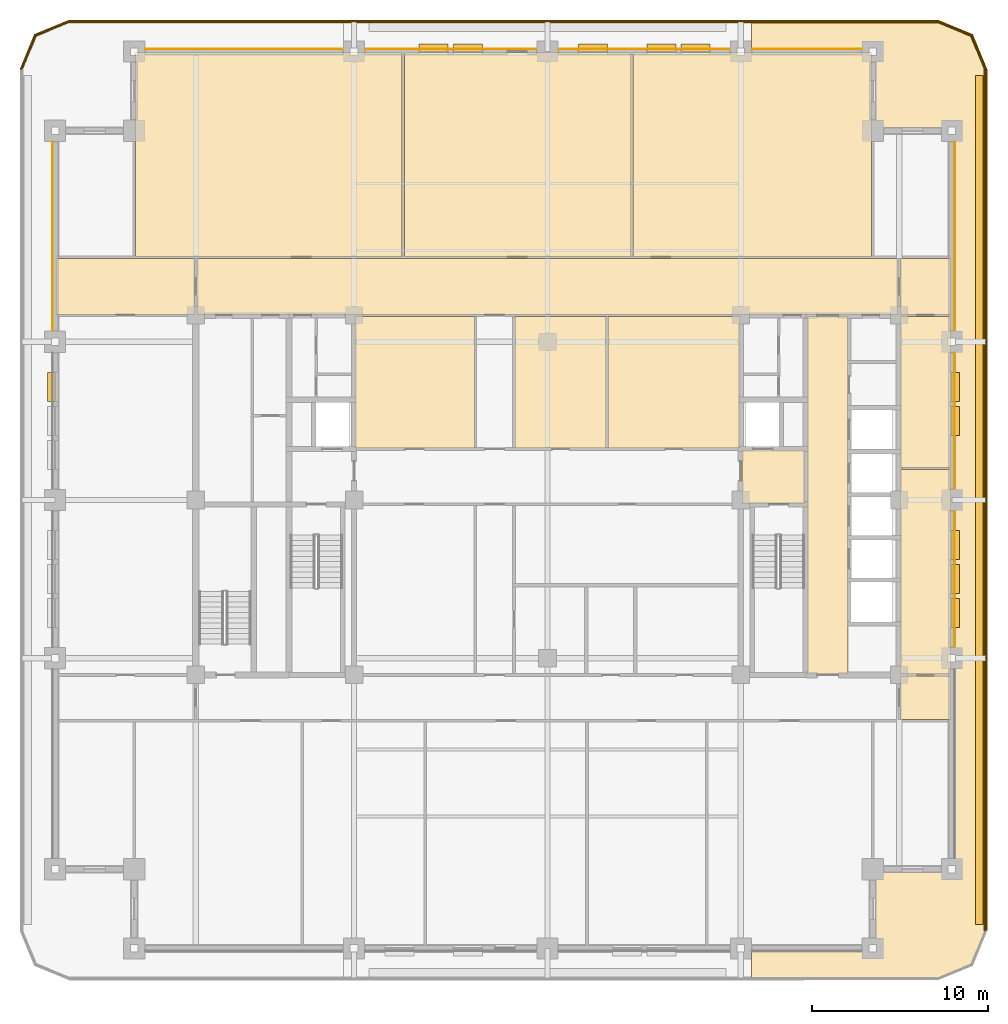
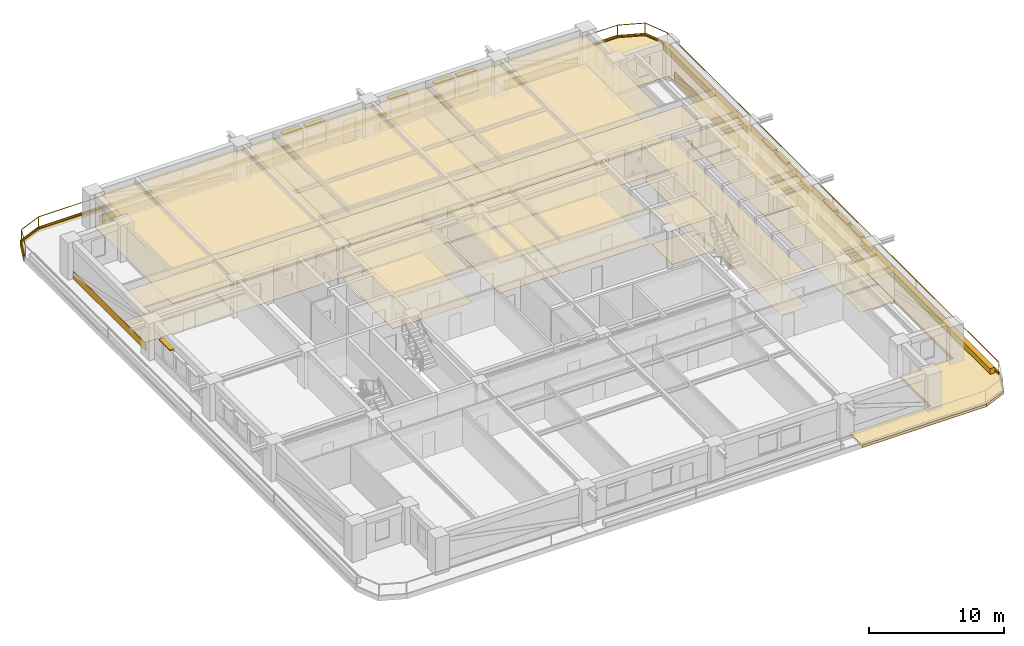
# One storey, part 15 of 15: 44 coverings, 11 shading devices, 2 railings.
"""IFC4 building model written with IfcOpenShell, lengths in metres."""

import ifcopenshell
import ifcopenshell.guid

model = None  # the IFC model being written
_history = None  # IfcOwnerHistory: only IFC2X3 demands one
_inside = {}  # id of a spatial element -> (the spatial element, [elements in it])
_under = {}  # id of a project, library or spatial element -> (it, [spatial elements below it])
_declared = {}  # id of a project -> (the project, [libraries it declares])
_typed = {}  # id of a type object -> (the type object, [elements of that type])
_made_of = {}  # id of a material, layer set ... -> (it, [elements and type objects made of it])


def new_model(schema):
    """Start an empty IFC model of exactly this schema.

    Asked for "IFC4X3", IfcOpenShell would pick the latest addendum, in which some entities
    have other attributes; the version numbers below select the first issue.
    IFC2X3 requires an IfcOwnerHistory on every rooted entity: one is made here for all.
    """
    global model, _history
    if schema == "IFC4X3":
        model = ifcopenshell.file(schema_version=(4, 3, 0, 0))
    else:
        model = ifcopenshell.file(schema=schema)
    _inside.clear()
    _under.clear()
    _declared.clear()
    _typed.clear()
    _made_of.clear()
    _history = None
    if model.schema == "IFC2X3":
        org = make("IfcOrganization", Name="unknown")
        user = make(
            "IfcPersonAndOrganization",
            ThePerson=make("IfcPerson", FamilyName="unknown"),
            TheOrganization=org,
        )
        app = make(
            "IfcApplication",
            ApplicationDeveloper=org,
            Version="unknown",
            ApplicationFullName="unknown",
            ApplicationIdentifier="unknown",
        )
        _history = make(
            "IfcOwnerHistory",
            OwningUser=user,
            OwningApplication=app,
            ChangeAction="ADDED",
            CreationDate=0,
        )
    return model


def make(cls, **values):
    """One entity of the class cls with the attributes given. An attribute that is None is left unset."""
    return model.create_entity(
        cls, **{name: value for name, value in values.items() if value is not None}
    )


def rooted(cls, **values):
    """An entity with a GlobalId (a new one), such as an element, a storey or a relation."""
    return make(cls, GlobalId=ifcopenshell.guid.new(), OwnerHistory=_history, **values)


def si_unit(unit_type, name, prefix=None):
    """IfcSIUnit, for example si_unit("LENGTHUNIT", "METRE", prefix="MILLI")."""
    return make("IfcSIUnit", UnitType=unit_type, Prefix=prefix, Name=name)


def assignment(units):
    """IfcUnitAssignment: the units of a project."""
    return None if units is None else make("IfcUnitAssignment", Units=units)


def point(xyz):
    """IfcCartesianPoint."""
    return None if xyz is None else make("IfcCartesianPoint", Coordinates=xyz)


def direction(xyz):
    """IfcDirection."""
    return None if xyz is None else make("IfcDirection", DirectionRatios=xyz)


def frame(location, z_axis=None, x_axis=None):
    """IfcAxis2Placement3D, a coordinate frame: its origin and axes. An axis left out is left unset."""
    return make(
        "IfcAxis2Placement3D",
        Location=point(location),
        Axis=direction(z_axis),
        RefDirection=direction(x_axis),
    )


def frame_2d(location, x_axis=None):
    """IfcAxis2Placement2D, a coordinate frame in the plane: its origin and x axis."""
    return make(
        "IfcAxis2Placement2D", Location=point(location), RefDirection=direction(x_axis)
    )


def origin():
    """The frame at (0, 0, 0) with its axes left unset."""
    return frame((0.0, 0.0, 0.0))


def origin_2d():
    """The frame at (0, 0) in the plane with its x axis left unset."""
    return frame_2d((0.0, 0.0))


def place(relative_to, where):
    """IfcLocalPlacement: puts the frame where relative to a parent placement (None: the world)."""
    return make(
        "IfcLocalPlacement", PlacementRelTo=relative_to, RelativePlacement=where
    )


def context(
    kind, dimensions, precision=None, world=None, true_north=None, identifier=None
):
    """IfcGeometricRepresentationContext, for example the 3D "Model" context."""
    return make(
        "IfcGeometricRepresentationContext",
        ContextIdentifier=identifier,
        ContextType=kind,
        CoordinateSpaceDimension=dimensions,
        Precision=precision,
        WorldCoordinateSystem=world,
        TrueNorth=true_north,
    )


def subcontext(parent, identifier, kind, view, scale=None):
    """IfcGeometricRepresentationSubContext, for example "Body" below "Model"."""
    return make(
        "IfcGeometricRepresentationSubContext",
        ContextIdentifier=identifier,
        ContextType=kind,
        ParentContext=parent,
        TargetScale=scale,
        TargetView=view,
    )


def project(units=None, contexts=None):
    """IfcProject with its units and contexts."""
    return rooted(
        "IfcProject",
        Name="project",
        RepresentationContexts=contexts,
        UnitsInContext=assignment(units),
    )


def spatial(cls, under=None, at=None, **own):
    """A site, building, storey or space (cls), placed at a placement, below another one or the project."""
    s = rooted(cls, ObjectPlacement=at, **own)
    if under is not None:
        _under.setdefault(under.id(), (under, []))[1].append(s)
    return s


def polyline(points):
    """IfcPolyline through the points."""
    return make("IfcPolyline", Points=[point(p) for p in points])


def profile(cls, at=None, kind="AREA", **sizes):
    """A parametric profile (cls). Its sizes go by their IFC names, for example OverallWidth=200.0."""
    return make(cls, ProfileType=kind, Position=at, **sizes)


def rectangle(**sizes):
    """IfcRectangleProfileDef."""
    return profile("IfcRectangleProfileDef", **sizes)


def outline(outer, holes=None, kind="AREA"):
    """IfcArbitraryClosedProfileDef: a profile drawn as a closed curve; with holes, ...WithVoids."""
    if holes is None:
        return make("IfcArbitraryClosedProfileDef", ProfileType=kind, OuterCurve=outer)
    return make(
        "IfcArbitraryProfileDefWithVoids",
        ProfileType=kind,
        OuterCurve=outer,
        InnerCurves=holes,
    )


def extrude(swept, where, along, depth):
    """IfcExtrudedAreaSolid: the profile swept, set in the frame where, extruded along a direction by depth."""
    return make(
        "IfcExtrudedAreaSolid",
        SweptArea=swept,
        Position=where,
        ExtrudedDirection=direction(along),
        Depth=depth,
    )


def shape(context_of_items, identifier, shape_type, items):
    """IfcShapeRepresentation: the items that make up one representation, for example the "Body"."""
    return make(
        "IfcShapeRepresentation",
        ContextOfItems=context_of_items,
        RepresentationIdentifier=identifier,
        RepresentationType=shape_type,
        Items=items,
    )


def material(Name=None, Category=None):
    """IfcMaterial."""
    return make("IfcMaterial", Name=Name, Category=Category)


def layer(
    of_material, thickness, ventilated=None, Name=None, Category=None, Priority=None
):
    """IfcMaterialLayer: one layer of a wall or slab, of a material (None: an air gap)."""
    return make(
        "IfcMaterialLayer",
        Material=of_material,
        LayerThickness=thickness,
        IsVentilated=ventilated,
        Name=Name,
        Category=Category,
        Priority=Priority,
    )


def layer_set(layers, Name=None):
    """IfcMaterialLayerSet."""
    return make("IfcMaterialLayerSet", MaterialLayers=layers, LayerSetName=Name)


def made_of(thing, what):
    """Note that an element or type object is made of a material, layer set ...; save() writes the relation."""
    if what is not None:
        _made_of.setdefault(what.id(), (what, []))[1].append(thing)
    return thing


def type_object(cls, material=None, **own):
    """A type object (cls), such as IfcWallType, which elements share."""
    return made_of(rooted(cls, **own), material)


def element(
    cls,
    number,
    at=None,
    inside=None,
    cuts=None,
    type_object=None,
    material=None,
    context=None,
    identifier="Body",
    shape_type=None,
    held_by="IfcProductDefinitionShape",
    body=None,
    shapes=None,
    **own,
):
    """One element of the class cls, such as IfcWall. Its Tag is "e" and its number.

    at: its placement. inside: the storey or other place that contains it. cuts: it is an
    opening in that element (IfcRelVoidsElement). A single representation is given by context,
    identifier, shape_type and body (its items); several are given by shapes. held_by: the class
    of the entity that holds the representations. save() writes the other relations.
    """
    e = rooted(cls, Tag="e%d" % number, ObjectPlacement=at, **own)
    if body is not None:
        shapes = [shape(context, identifier, shape_type, body)]
    if shapes is not None:
        e.Representation = make(held_by, Representations=shapes)
    if inside is not None:
        _inside.setdefault(inside.id(), (inside, []))[1].append(e)
    if cuts is not None:
        rooted(
            "IfcRelVoidsElement", RelatingBuildingElement=cuts, RelatedOpeningElement=e
        )
    if type_object is not None:
        _typed.setdefault(type_object.id(), (type_object, []))[1].append(e)
    return made_of(e, material)


def aggregate(whole, parts):
    """IfcRelAggregates: a whole, such as a stair, and the parts it consists of."""
    return rooted("IfcRelAggregates", RelatingObject=whole, RelatedObjects=parts)


def save(model, path):
    """Write the relations noted so far, then the file.

    IfcRelAggregates (storeys below a building ...), IfcRelContainedInSpatialStructure (elements
    in a storey), IfcRelDefinesByType, IfcRelAssociatesMaterial and IfcRelDeclares: one each for
    every whole, place, type object, material and project.
    """
    for whole, parts in _under.values():
        aggregate(whole, parts)
    for where, things in _inside.values():
        rooted(
            "IfcRelContainedInSpatialStructure",
            RelatedElements=things,
            RelatingStructure=where,
        )
    for kind, things in _typed.values():
        rooted("IfcRelDefinesByType", RelatedObjects=things, RelatingType=kind)
    for what, things in _made_of.values():
        rooted("IfcRelAssociatesMaterial", RelatedObjects=things, RelatingMaterial=what)
    for by, libraries in _declared.values():
        rooted("IfcRelDeclares", RelatingContext=by, RelatedDefinitions=libraries)
    model.write(path)


model = new_model("IFC4")

# Units and contexts
model_context = context("Model", 3, precision=1e-05, world=origin(), true_north=direction((0.0, 1.0)))
body_context = subcontext(model_context, "Body", "Model", "MODEL_VIEW")
ifc_project = project(units=[si_unit("LENGTHUNIT", "METRE"), si_unit("AREAUNIT", "SQUARE_METRE"), si_unit("VOLUMEUNIT", "CUBIC_METRE"), si_unit("PLANEANGLEUNIT", "RADIAN"), si_unit("MASSUNIT", "GRAM", prefix="KILO")], contexts=[model_context])

# Site, building, storey
site_placement = place(None, origin())
site = spatial("IfcSite", under=ifc_project, at=site_placement, CompositionType="ELEMENT")
building_placement = place(site_placement, origin())
building = spatial("IfcBuilding", under=site, at=building_placement, Name="Zulmaris Gate Convention Tower", CompositionType="ELEMENT")
storey_placement = place(building_placement, frame((0.0, 0.0, 132.059814453125)))
storey = spatial("IfcBuildingStorey", under=building, at=storey_placement, Name="L33", CompositionType="ELEMENT", Elevation=132.059814453125)

# Coverings
ifc_material_1 = material(Name="Precast concrete C40/50", Category="concrete")
ifc_layer_1 = layer(ifc_material_1, 0.0400390625, Name="Precast concrete C40/50")
ifc_layer_set_1 = layer_set([ifc_layer_1], Name="Precast concrete C40/50")
covering_type_1 = type_object("IfcCoveringType", Name="CLAD-SPANDREL-PRECAST", PredefinedType="CLADDING", material=ifc_layer_set_1)
covering_1_placement = place(storey_placement, frame((-11.6298828125, 25.64990234375, 0.0), z_axis=(0.0, 0.0, 1.0), x_axis=(-1.0, 0.0, 0.0)))
element("IfcCovering", 1, at=covering_1_placement, inside=storey, type_object=covering_type_1, Name="CLD-L33-N-0_0", PredefinedType="CLADDING", context=body_context, shape_type="SweptSolid", body=[
    extrude(rectangle(XDim=11.240234375, YDim=0.0400390625, at=frame_2d((5.6201171875, 0.0))), origin(), (0.0, 0.0, 1.0), 0.679931640625),
])
for number, where, z_axis, x_axis, name in (
    (2, (-0.6298828125, 25.64990234375, 0.0), (0.0, 0.0, 1.0), (-1.0, 0.0, 0.0), "CLD-L33-N-1_0"),
    (3, (10.3701171875, 25.64990234375, 0.0), (0.0, 0.0, 1.0), (-1.0, 0.0, 0.0), "CLD-L33-N-2_0"),
):
    element("IfcCovering", number, at=place(storey_placement, frame(where, z_axis=z_axis, x_axis=x_axis)), inside=storey, type_object=covering_type_1, Name=name, PredefinedType="CLADDING", context=body_context, shape_type="SweptSolid", body=[
        extrude(rectangle(XDim=9.740234375, YDim=0.0400390625, at=frame_2d((4.8701171875, 0.0))), origin(), (0.0, 0.0, 1.0), 0.679931640625),
    ])
covering_2_placement = place(storey_placement, frame((17.8701171875, 25.64990234375, 0.0), z_axis=(0.0, 0.0, 1.0), x_axis=(-1.0, 0.0, 0.0)))
element("IfcCovering", 4, at=covering_2_placement, inside=storey, type_object=covering_type_1, Name="CLD-L33-N-3_0", PredefinedType="CLADDING", context=body_context, shape_type="SweptSolid", body=[
    extrude(rectangle(XDim=6.240234375, YDim=0.0400390625, at=frame_2d((3.1201171875, 0.0))), origin(), (0.0, 0.0, 1.0), 0.679931640625),
])
for number, where, z_axis, x_axis, name in (
    (5, (23.14990234375, -8.3701171875, 0.0), (0.0, 0.0, 1.0), (0.0, 1.0, 0.0), "CLD-L33-E-1_0"),
    (6, (23.14990234375, 0.6298828125, 0.0), (0.0, 0.0, 1.0), (0.0, 1.0, 0.0), "CLD-L33-E-2_0"),
):
    element("IfcCovering", number, at=place(storey_placement, frame(where, z_axis=z_axis, x_axis=x_axis)), inside=storey, type_object=covering_type_1, Name=name, PredefinedType="CLADDING", context=body_context, shape_type="SweptSolid", body=[
        extrude(rectangle(XDim=7.740234375, YDim=0.0400390625, at=frame_2d((3.8701171875, 0.0))), origin(), (0.0, 0.0, 1.0), 0.679931640625),
    ])
for number, where, z_axis, x_axis, name in (
    (7, (23.14990234375, 9.6298828125, 0.0), (0.0, 0.0, 1.0), (0.0, 1.0, 0.0), "CLD-L33-E-3_0"),
    (8, (-28.14990234375, 20.3701171875, 0.0), (0.0, 0.0, 1.0), (0.0, -1.0, 0.0), "CLD-L33-W-3_0"),
):
    element("IfcCovering", number, at=place(storey_placement, frame(where, z_axis=z_axis, x_axis=x_axis)), inside=storey, type_object=covering_type_1, Name=name, PredefinedType="CLADDING", context=body_context, shape_type="SweptSolid", body=[
        extrude(rectangle(XDim=10.740234375, YDim=0.0400390625, at=frame_2d((5.3701171875, 0.0))), origin(), (0.0, 0.0, 1.0), 0.679931640625),
    ])
ifc_material_2 = material(Name="White Glazed Architectural Precast Concrete C40/50", Category="concrete")
ifc_layer_2 = layer(ifc_material_2, 0.239990234375, Name="White Glazed Architectural Precast Concrete C40/50")
ifc_layer_set_2 = layer_set([ifc_layer_2], Name="White Glazed Architectural Precast Concrete C40/50")
covering_type_2 = type_object("IfcCoveringType", Name="CLAD-TRAY-DECK", PredefinedType="CLADDING", material=ifc_layer_set_2)
covering_3_placement = place(storey_placement, frame((0.0, 0.0, -0.25)))
element("IfcCovering", 9, at=covering_3_placement, inside=storey, type_object=covering_type_2, Name="L33 East Rounded-Fascia Planter Tray Deck", PredefinedType="CLADDING", context=body_context, shape_type="SweptSolid", body=[
    extrude(outline(polyline([(22.199951171875, 27.300048828125), (24.179931640625, 26.47998046875), (25.0, 24.5), (25.0, -24.5), (24.179931640625, -26.47998046875), (22.199951171875, -27.300048828125), (11.60205078125, -27.300048828125), (11.60205078125, -25.5), (18.5, -25.5), (18.5, -21.0), (23.0, -21.0), (23.0, 21.0), (18.5, 21.0), (18.5, 25.5), (11.60205078125, 25.5), (11.60205078125, 27.300048828125), (22.199951171875, 27.300048828125)])), origin(), (0.0, 0.0, 1.0), 0.239990234375),
])
ifc_layer_3 = layer(ifc_material_2, 0.080078125, Name="White Glazed Architectural Precast Concrete C40/50")
ifc_layer_set_3 = layer_set([ifc_layer_3], Name="White Glazed Architectural Precast Concrete C40/50")
covering_type_3 = type_object("IfcCoveringType", Name="CLAD-TRAY-FASCIA", PredefinedType="CLADDING", material=ifc_layer_set_3)
covering_4_placement = place(storey_placement, frame((24.9599609375, -24.5, -0.2900390625), z_axis=(0.0, 0.0, 1.0), x_axis=(0.0, 1.0, 0.0)))
element("IfcCovering", 10, at=covering_4_placement, inside=storey, type_object=covering_type_3, Name="FSC-L33-TR-05", PredefinedType="CLADDING", context=body_context, shape_type="SweptSolid", body=[
    extrude(rectangle(XDim=49.0, YDim=0.080078125, at=frame_2d((24.5, 0.0))), origin(), (0.0, 0.0, 1.0), 0.43994140625),
])
covering_5_placement = place(storey_placement, frame((24.962890625, 24.484619140625, -0.2900390625), z_axis=(0.0, 0.0, 1.0), x_axis=(-0.382656984709, 0.923890487046, 0.0)))
element("IfcCovering", 11, at=covering_5_placement, inside=storey, type_object=covering_type_3, Name="FSC-L33-TR-06", PredefinedType="CLADDING", context=body_context, shape_type="SweptSolid", body=[
    extrude(rectangle(XDim=2.14306640625, YDim=0.080078125, at=frame_2d((1.071533203125, 0.0))), origin(), (0.0, 0.0, 1.0), 0.43994140625),
])
covering_6_placement = place(storey_placement, frame((24.16455078125, 26.44287109375, -0.2900390625), z_axis=(0.0, 0.0, 1.0), x_axis=(-0.923873803533, 0.382697263049, 0.0)))
element("IfcCovering", 12, at=covering_6_placement, inside=storey, type_object=covering_type_3, Name="FSC-L33-TR-07", PredefinedType="CLADDING", context=body_context, shape_type="SweptSolid", body=[
    extrude(rectangle(XDim=2.142822265625, YDim=0.080078125, at=frame_2d((1.0712890625, 0.0))), origin(), (0.0, 0.0, 1.0), 0.43994140625),
])
covering_7_placement = place(storey_placement, frame((22.199951171875, 27.260009765625, -0.2900390625), z_axis=(0.0, 0.0, 1.0), x_axis=(-1.0, 0.0, 0.0)))
element("IfcCovering", 13, at=covering_7_placement, inside=storey, type_object=covering_type_3, Name="FSC-L33-TR-08", PredefinedType="CLADDING", context=body_context, shape_type="SweptSolid", body=[
    extrude(rectangle(XDim=49.39990234375, YDim=0.080078125, at=frame_2d((24.699951171875, 0.0))), origin(), (0.0, 0.0, 1.0), 0.43994140625),
])
covering_8_placement = place(storey_placement, frame((-27.184814453125, 27.262939453125, -0.2900390625), z_axis=(0.0, 0.0, 1.0), x_axis=(-0.923873803533, -0.382697263049, 0.0)))
element("IfcCovering", 14, at=covering_8_placement, inside=storey, type_object=covering_type_3, Name="FSC-L33-TR-09", PredefinedType="CLADDING", context=body_context, shape_type="SweptSolid", body=[
    extrude(rectangle(XDim=2.142822265625, YDim=0.080078125, at=frame_2d((1.0712890625, 0.0))), origin(), (0.0, 0.0, 1.0), 0.43994140625),
])
covering_9_placement = place(storey_placement, frame((-29.142822265625, 26.464599609375, -0.2900390625), z_axis=(0.0, 0.0, 1.0), x_axis=(-0.382656984709, -0.923890487046, 0.0)))
element("IfcCovering", 15, at=covering_9_placement, inside=storey, type_object=covering_type_3, Name="FSC-L33-TR-10", PredefinedType="CLADDING", context=body_context, shape_type="SweptSolid", body=[
    extrude(rectangle(XDim=2.14306640625, YDim=0.080078125, at=frame_2d((1.071533203125, 0.0))), origin(), (0.0, 0.0, 1.0), 0.43994140625),
])
ifc_material_3 = material(Name="Mineral Fibre Acoustic Ceiling Tile")
ifc_layer_4 = layer(ifc_material_3, 0.02001953125, Name="Mineral Fibre Acoustic Ceiling Tile")
ifc_layer_set_4 = layer_set([ifc_layer_4], Name="Mineral Fibre Acoustic Ceiling Tile")
covering_type_4 = type_object("IfcCoveringType", Name="CLG-ACOUSTIC-600", PredefinedType="CEILING", material=ifc_layer_set_4)
covering_10_placement = place(storey_placement, frame((0.0, 0.0, 3.0400390625)))
element("IfcCovering", 16, at=covering_10_placement, inside=storey, type_object=covering_type_4, Name="CLG-L33-R08", PredefinedType="CEILING", context=body_context, shape_type="SweptSolid", body=[
    extrude(outline(polyline([(11.06005859375, -0.18994140625), (14.639892578125, -0.18994140625), (14.639892578125, 2.840087890625), (11.06005859375, 2.840087890625), (11.06005859375, -0.18994140625)])), origin(), (0.0, 0.0, 1.0), 0.02001953125),
])
covering_11_placement = place(storey_placement, frame((0.0, 0.0, 2.778076171875)))
element("IfcCovering", 17, at=covering_11_placement, inside=storey, type_object=covering_type_4, Name="CLG-L33-R27", PredefinedType="CEILING", context=body_context, shape_type="SweptSolid", body=[
    extrude(outline(polyline([(14.760009765625, -9.889892578125), (17.090087890625, -9.889892578125), (17.090087890625, 10.43994140625), (14.760009765625, 10.43994140625), (14.760009765625, -9.889892578125)])), origin(), (0.0, 0.0, 1.0), 0.02001953125),
])
covering_12_placement = place(storey_placement, frame((0.0, 0.0, 2.778076171875)))
element("IfcCovering", 18, at=covering_12_placement, inside=storey, type_object=covering_type_4, Name="CLG-L33-R32", PredefinedType="CEILING", context=body_context, shape_type="SweptSolid", body=[
    extrude(outline(polyline([(-19.93994140625, 10.56005859375), (19.93994140625, 10.56005859375), (19.93994140625, 13.739990234375), (-19.93994140625, 13.739990234375), (-19.93994140625, 10.56005859375)])), origin(), (0.0, 0.0, 1.0), 0.02001953125),
])
covering_13_placement = place(storey_placement, frame((0.0, 0.0, 2.68017578125)))
element("IfcCovering", 19, at=covering_13_placement, inside=storey, type_object=covering_type_4, Name="CLG-L33-R37", PredefinedType="CEILING", context=body_context, shape_type="SweptSolid", body=[
    extrude(outline(polyline([(-23.43994140625, 13.860107421875), (-8.260009765625, 13.860107421875), (-8.260009765625, 25.43994140625), (-23.43994140625, 25.43994140625), (-23.43994140625, 13.860107421875)])), origin(), (0.0, 0.0, 1.0), 0.02001953125),
])
covering_14_placement = place(storey_placement, frame((0.0, 0.0, 2.68017578125)))
element("IfcCovering", 20, at=covering_14_placement, inside=storey, type_object=covering_type_4, Name="CLG-L33-R38", PredefinedType="CEILING", context=body_context, shape_type="SweptSolid", body=[
    extrude(outline(polyline([(-8.139892578125, 13.860107421875), (4.739990234375, 13.860107421875), (4.739990234375, 25.43994140625), (-8.139892578125, 25.43994140625), (-8.139892578125, 13.860107421875)])), origin(), (0.0, 0.0, 1.0), 0.02001953125),
])
covering_15_placement = place(storey_placement, frame((0.0, 0.0, 2.68017578125)))
element("IfcCovering", 21, at=covering_15_placement, inside=storey, type_object=covering_type_4, Name="CLG-L33-R39", PredefinedType="CEILING", context=body_context, shape_type="SweptSolid", body=[
    extrude(outline(polyline([(4.860107421875, 13.860107421875), (18.43994140625, 13.860107421875), (18.43994140625, 25.43994140625), (4.860107421875, 25.43994140625), (4.860107421875, 13.860107421875)])), origin(), (0.0, 0.0, 1.0), 0.02001953125),
])
covering_16_placement = place(storey_placement, frame((0.0, 0.0, 2.778076171875)))
element("IfcCovering", 22, at=covering_16_placement, inside=storey, type_object=covering_type_4, Name="CLG-L33-R45", PredefinedType="CEILING", context=body_context, shape_type="SweptSolid", body=[
    extrude(outline(polyline([(-10.93994140625, 2.9599609375), (-4.159912109375, 2.9599609375), (-4.159912109375, 10.43994140625), (-10.93994140625, 10.43994140625), (-10.93994140625, 2.9599609375)])), origin(), (0.0, 0.0, 1.0), 0.02001953125),
])
covering_17_placement = place(storey_placement, frame((0.0, 0.0, 2.778076171875)))
element("IfcCovering", 23, at=covering_17_placement, inside=storey, type_object=covering_type_4, Name="CLG-L33-R46", PredefinedType="CEILING", context=body_context, shape_type="SweptSolid", body=[
    extrude(outline(polyline([(-1.840087890625, 2.9599609375), (3.330078125, 2.9599609375), (3.330078125, 10.43994140625), (-1.840087890625, 10.43994140625), (-1.840087890625, 2.9599609375)])), origin(), (0.0, 0.0, 1.0), 0.02001953125),
])
covering_18_placement = place(storey_placement, frame((0.0, 0.0, 2.778076171875)))
element("IfcCovering", 24, at=covering_18_placement, inside=storey, type_object=covering_type_4, Name="CLG-L33-R47", PredefinedType="CEILING", context=body_context, shape_type="SweptSolid", body=[
    extrude(outline(polyline([(3.449951171875, 2.9599609375), (10.93994140625, 2.9599609375), (10.93994140625, 10.43994140625), (3.449951171875, 10.43994140625), (3.449951171875, 2.9599609375)])), origin(), (0.0, 0.0, 1.0), 0.02001953125),
])
covering_19_placement = place(storey_placement, frame((0.0, 0.0, 2.68017578125)))
element("IfcCovering", 25, at=covering_19_placement, inside=storey, type_object=covering_type_4, Name="CLG-L33-R53", PredefinedType="CEILING", context=body_context, shape_type="SweptSolid", body=[
    extrude(outline(polyline([(-27.93994140625, 10.56005859375), (-20.06005859375, 10.56005859375), (-20.06005859375, 13.739990234375), (-27.93994140625, 13.739990234375), (-27.93994140625, 10.56005859375)])), origin(), (0.0, 0.0, 1.0), 0.02001953125),
])
covering_20_placement = place(storey_placement, frame((0.0, 0.0, 2.68017578125)))
element("IfcCovering", 26, at=covering_20_placement, inside=storey, type_object=covering_type_4, Name="CLG-L33-R56", PredefinedType="CEILING", context=body_context, shape_type="SweptSolid", body=[
    extrude(outline(polyline([(20.06005859375, 10.56005859375), (22.93994140625, 10.56005859375), (22.93994140625, 13.739990234375), (20.06005859375, 13.739990234375), (20.06005859375, 10.56005859375)])), origin(), (0.0, 0.0, 1.0), 0.02001953125),
])
covering_21_placement = place(storey_placement, frame((0.0, 0.0, 2.68017578125)))
element("IfcCovering", 27, at=covering_21_placement, inside=storey, type_object=covering_type_4, Name="CLG-L33-R57", PredefinedType="CEILING", context=body_context, shape_type="SweptSolid", body=[
    extrude(outline(polyline([(20.06005859375, -12.489990234375), (22.93994140625, -12.489990234375), (22.93994140625, -10.010009765625), (20.06005859375, -10.010009765625), (20.06005859375, -12.489990234375)])), origin(), (0.0, 0.0, 1.0), 0.02001953125),
])
covering_22_placement = place(storey_placement, frame((0.0, 0.0, 2.68017578125)))
element("IfcCovering", 28, at=covering_22_placement, inside=storey, type_object=covering_type_4, Name="CLG-L33-R58", PredefinedType="CEILING", context=body_context, shape_type="SweptSolid", body=[
    extrude(outline(polyline([(20.06005859375, 1.860107421875), (22.93994140625, 1.860107421875), (22.93994140625, 10.43994140625), (20.06005859375, 10.43994140625), (20.06005859375, 1.860107421875)])), origin(), (0.0, 0.0, 1.0), 0.02001953125),
])
covering_23_placement = place(storey_placement, frame((0.0, 0.0, 2.68017578125)))
element("IfcCovering", 29, at=covering_23_placement, inside=storey, type_object=covering_type_4, Name="CLG-L33-R59", PredefinedType="CEILING", context=body_context, shape_type="SweptSolid", body=[
    extrude(outline(polyline([(20.06005859375, -9.889892578125), (22.93994140625, -9.889892578125), (22.93994140625, 1.739990234375), (20.06005859375, 1.739990234375), (20.06005859375, -9.889892578125)])), origin(), (0.0, 0.0, 1.0), 0.02001953125),
])
ifc_material_4 = material(Name="Woven Acoustic Wool Carpet Tile")
ifc_layer_5 = layer(ifc_material_4, 0.02001953125, Name="Woven Acoustic Wool Carpet Tile")
ifc_layer_set_5 = layer_set([ifc_layer_5], Name="Woven Acoustic Wool Carpet Tile")
covering_type_5 = type_object("IfcCoveringType", Name="FLR-CARPET-12", PredefinedType="FLOORING", material=ifc_layer_set_5)
covering_24_placement = place(storey_placement, origin())
element("IfcCovering", 30, at=covering_24_placement, inside=storey, type_object=covering_type_5, Name="FLR-L33-R08", PredefinedType="FLOORING", context=body_context, shape_type="SweptSolid", body=[
    extrude(outline(polyline([(11.06005859375, -0.18994140625), (14.639892578125, -0.18994140625), (14.639892578125, 2.840087890625), (11.06005859375, 2.840087890625), (11.06005859375, -0.18994140625)])), origin(), (0.0, 0.0, 1.0), 0.02001953125),
])
covering_25_placement = place(storey_placement, origin())
element("IfcCovering", 31, at=covering_25_placement, inside=storey, type_object=covering_type_5, Name="FLR-L33-R27", PredefinedType="FLOORING", context=body_context, shape_type="SweptSolid", body=[
    extrude(outline(polyline([(14.760009765625, -9.889892578125), (17.090087890625, -9.889892578125), (17.090087890625, 10.43994140625), (14.760009765625, 10.43994140625), (14.760009765625, -9.889892578125)])), origin(), (0.0, 0.0, 1.0), 0.02001953125),
])
covering_26_placement = place(storey_placement, origin())
element("IfcCovering", 32, at=covering_26_placement, inside=storey, type_object=covering_type_5, Name="FLR-L33-R32", PredefinedType="FLOORING", context=body_context, shape_type="SweptSolid", body=[
    extrude(outline(polyline([(-19.93994140625, 10.56005859375), (19.93994140625, 10.56005859375), (19.93994140625, 13.739990234375), (-19.93994140625, 13.739990234375), (-19.93994140625, 10.56005859375)])), origin(), (0.0, 0.0, 1.0), 0.02001953125),
])
covering_27_placement = place(storey_placement, origin())
element("IfcCovering", 33, at=covering_27_placement, inside=storey, type_object=covering_type_5, Name="FLR-L33-R38", PredefinedType="FLOORING", context=body_context, shape_type="SweptSolid", body=[
    extrude(outline(polyline([(-8.139892578125, 13.860107421875), (4.739990234375, 13.860107421875), (4.739990234375, 25.43994140625), (-8.139892578125, 25.43994140625), (-8.139892578125, 13.860107421875)])), origin(), (0.0, 0.0, 1.0), 0.02001953125),
])
covering_28_placement = place(storey_placement, origin())
element("IfcCovering", 34, at=covering_28_placement, inside=storey, type_object=covering_type_5, Name="FLR-L33-R39", PredefinedType="FLOORING", context=body_context, shape_type="SweptSolid", body=[
    extrude(outline(polyline([(4.860107421875, 13.860107421875), (18.43994140625, 13.860107421875), (18.43994140625, 25.43994140625), (4.860107421875, 25.43994140625), (4.860107421875, 13.860107421875)])), origin(), (0.0, 0.0, 1.0), 0.02001953125),
])
covering_29_placement = place(storey_placement, origin())
element("IfcCovering", 35, at=covering_29_placement, inside=storey, type_object=covering_type_5, Name="FLR-L33-R47", PredefinedType="FLOORING", context=body_context, shape_type="SweptSolid", body=[
    extrude(outline(polyline([(3.449951171875, 2.9599609375), (10.93994140625, 2.9599609375), (10.93994140625, 10.43994140625), (3.449951171875, 10.43994140625), (3.449951171875, 2.9599609375)])), origin(), (0.0, 0.0, 1.0), 0.02001953125),
])
covering_30_placement = place(storey_placement, origin())
element("IfcCovering", 36, at=covering_30_placement, inside=storey, type_object=covering_type_5, Name="FLR-L33-R53", PredefinedType="FLOORING", context=body_context, shape_type="SweptSolid", body=[
    extrude(outline(polyline([(-27.93994140625, 10.56005859375), (-20.06005859375, 10.56005859375), (-20.06005859375, 13.739990234375), (-27.93994140625, 13.739990234375), (-27.93994140625, 10.56005859375)])), origin(), (0.0, 0.0, 1.0), 0.02001953125),
])
covering_31_placement = place(storey_placement, origin())
element("IfcCovering", 37, at=covering_31_placement, inside=storey, type_object=covering_type_5, Name="FLR-L33-R56", PredefinedType="FLOORING", context=body_context, shape_type="SweptSolid", body=[
    extrude(outline(polyline([(20.06005859375, 10.56005859375), (22.93994140625, 10.56005859375), (22.93994140625, 13.739990234375), (20.06005859375, 13.739990234375), (20.06005859375, 10.56005859375)])), origin(), (0.0, 0.0, 1.0), 0.02001953125),
])
covering_32_placement = place(storey_placement, origin())
element("IfcCovering", 38, at=covering_32_placement, inside=storey, type_object=covering_type_5, Name="FLR-L33-R57", PredefinedType="FLOORING", context=body_context, shape_type="SweptSolid", body=[
    extrude(outline(polyline([(20.06005859375, -12.489990234375), (22.93994140625, -12.489990234375), (22.93994140625, -10.010009765625), (20.06005859375, -10.010009765625), (20.06005859375, -12.489990234375)])), origin(), (0.0, 0.0, 1.0), 0.02001953125),
])
covering_33_placement = place(storey_placement, origin())
element("IfcCovering", 39, at=covering_33_placement, inside=storey, type_object=covering_type_5, Name="FLR-L33-R58", PredefinedType="FLOORING", context=body_context, shape_type="SweptSolid", body=[
    extrude(outline(polyline([(20.06005859375, 1.860107421875), (22.93994140625, 1.860107421875), (22.93994140625, 10.43994140625), (20.06005859375, 10.43994140625), (20.06005859375, 1.860107421875)])), origin(), (0.0, 0.0, 1.0), 0.02001953125),
])
covering_34_placement = place(storey_placement, origin())
element("IfcCovering", 40, at=covering_34_placement, inside=storey, type_object=covering_type_5, Name="FLR-L33-R59", PredefinedType="FLOORING", context=body_context, shape_type="SweptSolid", body=[
    extrude(outline(polyline([(20.06005859375, -9.889892578125), (22.93994140625, -9.889892578125), (22.93994140625, 1.739990234375), (20.06005859375, 1.739990234375), (20.06005859375, -9.889892578125)])), origin(), (0.0, 0.0, 1.0), 0.02001953125),
])
ifc_material_5 = material(Name="Polished Granite Terrazzo Tile", Category="masonry")
ifc_layer_6 = layer(ifc_material_5, 0.02001953125, Name="Polished Granite Terrazzo Tile")
ifc_layer_set_6 = layer_set([ifc_layer_6], Name="Polished Granite Terrazzo Tile")
covering_type_6 = type_object("IfcCoveringType", Name="FLR-TERRAZZO-30", PredefinedType="FLOORING", material=ifc_layer_set_6)
covering_35_placement = place(storey_placement, origin())
element("IfcCovering", 41, at=covering_35_placement, inside=storey, type_object=covering_type_6, Name="FLR-L33-R45", PredefinedType="FLOORING", context=body_context, shape_type="SweptSolid", body=[
    extrude(outline(polyline([(-10.93994140625, 2.9599609375), (-4.159912109375, 2.9599609375), (-4.159912109375, 10.43994140625), (-10.93994140625, 10.43994140625), (-10.93994140625, 2.9599609375)])), origin(), (0.0, 0.0, 1.0), 0.02001953125),
])
ifc_material_6 = material(Name="Engineered Teak Parquet Flooring")
ifc_layer_7 = layer(ifc_material_6, 0.02001953125, Name="Engineered Teak Parquet Flooring")
ifc_layer_set_7 = layer_set([ifc_layer_7], Name="Engineered Teak Parquet Flooring")
covering_type_7 = type_object("IfcCoveringType", Name="FLR-TIMBER-18", PredefinedType="FLOORING", material=ifc_layer_set_7)
covering_36_placement = place(storey_placement, origin())
element("IfcCovering", 42, at=covering_36_placement, inside=storey, type_object=covering_type_7, Name="FLR-L33-R37", PredefinedType="FLOORING", context=body_context, shape_type="SweptSolid", body=[
    extrude(outline(polyline([(-23.43994140625, 13.860107421875), (-8.260009765625, 13.860107421875), (-8.260009765625, 25.43994140625), (-23.43994140625, 25.43994140625), (-23.43994140625, 13.860107421875)])), origin(), (0.0, 0.0, 1.0), 0.02001953125),
])
covering_37_placement = place(storey_placement, origin())
element("IfcCovering", 43, at=covering_37_placement, inside=storey, type_object=covering_type_7, Name="FLR-L33-R46", PredefinedType="FLOORING", context=body_context, shape_type="SweptSolid", body=[
    extrude(outline(polyline([(-1.840087890625, 2.9599609375), (3.330078125, 2.9599609375), (3.330078125, 10.43994140625), (-1.840087890625, 10.43994140625), (-1.840087890625, 2.9599609375)])), origin(), (0.0, 0.0, 1.0), 0.02001953125),
])
ifc_material_7 = material(Name="Botanical Green Glazed Precast Concrete C40/50", Category="concrete")
ifc_layer_8 = layer(ifc_material_7, 0.419921875, Name="Botanical Green Glazed Precast Concrete C40/50")
ifc_layer_set_8 = layer_set([ifc_layer_8], Name="Botanical Green Glazed Precast Concrete C40/50")
covering_type_8 = type_object("IfcCoveringType", Name="PLANTER-BOX-200", PredefinedType="CLADDING", material=ifc_layer_set_8)
covering_38_placement = place(storey_placement, frame((0.0, 0.0, -0.010009765625)))
element("IfcCovering", 44, at=covering_38_placement, inside=storey, type_object=covering_type_8, Name="L33 E Full-Length Balcony Tree Planter Trough", PredefinedType="CLADDING", context=body_context, shape_type="SweptSolid", body=[
    extrude(outline(polyline([(24.340087890625, -24.14990234375), (24.760009765625, -24.14990234375), (24.760009765625, 24.14990234375), (24.340087890625, 24.14990234375), (24.340087890625, -24.14990234375)])), origin(), (0.0, 0.0, 1.0), 0.52001953125),
])

# Railings
ifc_material_8 = material(Name="Laminated Glass and Stainless Steel", Category="steel")
railing_type = type_object("IfcRailingType", Name="RL-BALC-1150", PredefinedType="BALUSTRADE", material=ifc_material_8)
railing_1_placement = place(storey_placement, frame((24.8798828125, -24.5, -0.010009765625)))
element("IfcRailing", 45, at=railing_1_placement, inside=storey, type_object=railing_type, Name="RL-L33-BALC-E", PredefinedType="BALUSTRADE", context=body_context, shape_type="SweptSolid", body=[
    extrude(rectangle(XDim=0.048095703125, YDim=0.048095703125, at=origin_2d()), frame((0.0, 0.0, 1.1259765625), z_axis=(0.0, 1.0, 0.0), x_axis=(-1.0, 0.0, 0.0)), (0.0, 0.0, 1.0), 49.0),
    extrude(rectangle(XDim=0.048095703125, YDim=0.048095703125, at=origin_2d()), frame((0.0, 0.0, 0.02392578125), z_axis=(0.0, 1.0, 0.0), x_axis=(-1.0, 0.0, 0.0)), (0.0, 0.0, 1.0), 49.0),
    extrude(rectangle(XDim=0.0419921875, YDim=0.0419921875, at=origin_2d()), origin(), (0.0, 0.0, 1.0), 1.101806640625),
    extrude(rectangle(XDim=0.0419921875, YDim=0.0419921875, at=origin_2d()), frame((0.0, 12.25, 0.0)), (0.0, 0.0, 1.0), 1.101806640625),
    extrude(rectangle(XDim=0.0419921875, YDim=0.0419921875, at=origin_2d()), frame((0.0, 24.5, 0.0)), (0.0, 0.0, 1.0), 1.101806640625),
    extrude(rectangle(XDim=0.0419921875, YDim=0.0419921875, at=origin_2d()), frame((0.0, 36.75, 0.0)), (0.0, 0.0, 1.0), 1.101806640625),
    extrude(rectangle(XDim=0.0419921875, YDim=0.0419921875, at=origin_2d()), frame((0.0, 49.0, 0.0)), (0.0, 0.0, 1.0), 1.101806640625),
])
railing_2_placement = place(storey_placement, frame((24.8798828125, 24.5, -0.010009765625)))
element("IfcRailing", 46, at=railing_2_placement, inside=storey, type_object=railing_type, Name="RL-L33-BALC-N", PredefinedType="BALUSTRADE", context=body_context, shape_type="SweptSolid", body=[
    extrude(rectangle(XDim=0.048095703125, YDim=0.048095703125, at=origin_2d()), frame((0.0, 0.0, 1.1259765625), z_axis=(-0.382670664694, 0.92388482095, 0.0), x_axis=(-0.92388482095, -0.382670664694, 0.0)), (0.0, 0.0, 1.0), 2.051025390625),
    extrude(rectangle(XDim=0.048095703125, YDim=0.048095703125, at=origin_2d()), frame((0.0, 0.0, 0.02392578125), z_axis=(-0.382670664694, 0.92388482095, 0.0), x_axis=(-0.92388482095, -0.382670664694, 0.0)), (0.0, 0.0, 1.0), 2.051025390625),
    extrude(rectangle(XDim=0.048095703125, YDim=0.048095703125, at=origin_2d()), frame((-0.784912109375, 1.89501953125, 1.1259765625), z_axis=(-0.92388482095, 0.382670664694, 0.0), x_axis=(-0.382670664694, -0.92388482095, 0.0)), (0.0, 0.0, 1.0), 2.051025390625),
    extrude(rectangle(XDim=0.048095703125, YDim=0.048095703125, at=origin_2d()), frame((-0.784912109375, 1.89501953125, 0.02392578125), z_axis=(-0.92388482095, 0.382670664694, 0.0), x_axis=(-0.382670664694, -0.92388482095, 0.0)), (0.0, 0.0, 1.0), 2.051025390625),
    extrude(rectangle(XDim=0.048095703125, YDim=0.048095703125, at=origin_2d()), frame((-2.679931640625, 2.679931640625, 1.1259765625), z_axis=(-1.0, 0.0, 0.0), x_axis=(0.0, -1.0, 0.0)), (0.0, 0.0, 1.0), 49.39990234375),
    extrude(rectangle(XDim=0.048095703125, YDim=0.048095703125, at=origin_2d()), frame((-2.679931640625, 2.679931640625, 0.02392578125), z_axis=(-1.0, 0.0, 0.0), x_axis=(0.0, -1.0, 0.0)), (0.0, 0.0, 1.0), 49.39990234375),
    extrude(rectangle(XDim=0.048095703125, YDim=0.048095703125, at=origin_2d()), frame((-52.079833984375, 2.679931640625, 1.1259765625), z_axis=(-0.92388482095, -0.382670664694, 0.0), x_axis=(0.382670664694, -0.92388482095, 0.0)), (0.0, 0.0, 1.0), 2.051025390625),
    extrude(rectangle(XDim=0.048095703125, YDim=0.048095703125, at=origin_2d()), frame((-52.079833984375, 2.679931640625, 0.02392578125), z_axis=(-0.92388482095, -0.382670664694, 0.0), x_axis=(0.382670664694, -0.92388482095, 0.0)), (0.0, 0.0, 1.0), 2.051025390625),
    extrude(rectangle(XDim=0.048095703125, YDim=0.048095703125, at=origin_2d()), frame((-53.974853515625, 1.89501953125, 1.1259765625), z_axis=(-0.382670664694, -0.92388482095, 0.0), x_axis=(0.92388482095, -0.382670664694, 0.0)), (0.0, 0.0, 1.0), 2.051025390625),
    extrude(rectangle(XDim=0.048095703125, YDim=0.048095703125, at=origin_2d()), frame((-53.974853515625, 1.89501953125, 0.02392578125), z_axis=(-0.382670664694, -0.92388482095, 0.0), x_axis=(0.92388482095, -0.382670664694, 0.0)), (0.0, 0.0, 1.0), 2.051025390625),
    extrude(rectangle(XDim=0.0419921875, YDim=0.0419921875, at=origin_2d()), origin(), (0.0, 0.0, 1.0), 1.101806640625),
    extrude(rectangle(XDim=0.0419921875, YDim=0.0419921875, at=origin_2d()), frame((-0.784912109375, 1.89501953125, 0.0)), (0.0, 0.0, 1.0), 1.101806640625),
    extrude(rectangle(XDim=0.0419921875, YDim=0.0419921875, at=origin_2d()), frame((-2.679931640625, 2.679931640625, 0.0)), (0.0, 0.0, 1.0), 1.101806640625),
    extrude(rectangle(XDim=0.0419921875, YDim=0.0419921875, at=origin_2d()), frame((-15.02978515625, 2.679931640625, 0.0)), (0.0, 0.0, 1.0), 1.101806640625),
    extrude(rectangle(XDim=0.0419921875, YDim=0.0419921875, at=origin_2d()), frame((-27.3798828125, 2.679931640625, 0.0)), (0.0, 0.0, 1.0), 1.101806640625),
    extrude(rectangle(XDim=0.0419921875, YDim=0.0419921875, at=origin_2d()), frame((-39.72998046875, 2.679931640625, 0.0)), (0.0, 0.0, 1.0), 1.101806640625),
    extrude(rectangle(XDim=0.0419921875, YDim=0.0419921875, at=origin_2d()), frame((-52.079833984375, 2.679931640625, 0.0)), (0.0, 0.0, 1.0), 1.101806640625),
    extrude(rectangle(XDim=0.0419921875, YDim=0.0419921875, at=origin_2d()), frame((-53.974853515625, 1.89501953125, 0.0)), (0.0, 0.0, 1.0), 1.101806640625),
    extrude(rectangle(XDim=0.0419921875, YDim=0.0419921875, at=origin_2d()), frame((-54.759765625, 0.0, 0.0)), (0.0, 0.0, 1.0), 1.101806640625),
])

# Shading devices
ifc_material_9 = material(Name="Glazed Ceramic Terracotta", Category="masonry")
ifc_layer_9 = layer(ifc_material_9, 0.070068359375, Name="Glazed Ceramic Terracotta")
ifc_layer_set_9 = layer_set([ifc_layer_9], Name="Glazed Ceramic Terracotta")
shading_device_type = type_object("IfcShadingDeviceType", Name="SHD-SUNSHADE-TC", PredefinedType="AWNING", material=ifc_layer_set_9)
for number, where, z_axis, x_axis, name in (
    (47, (-3.700927734375, 25.719970703125, 2.530029296875), (0.0, 0.0, 1.0), (-1.0, 0.0, 0.0), "SHD-EW-L33-N-1_0-2"),
    (48, (-5.64892578125, 25.719970703125, 2.530029296875), (0.0, 0.0, 1.0), (-1.0, 0.0, 0.0), "SHD-EW-L33-N-1_0-3"),
    (49, (9.2470703125, 25.719970703125, 2.530029296875), (0.0, 0.0, 1.0), (-1.0, 0.0, 0.0), "SHD-EW-L33-N-2_0-1"),
    (50, (7.299072265625, 25.719970703125, 2.530029296875), (0.0, 0.0, 1.0), (-1.0, 0.0, 0.0), "SHD-EW-L33-N-2_0-2"),
    (51, (3.403076171875, 25.719970703125, 2.530029296875), (0.0, 0.0, 1.0), (-1.0, 0.0, 0.0), "SHD-EW-L33-N-2_0-4"),
):
    element("IfcShadingDevice", number, at=place(storey_placement, frame(where, z_axis=z_axis, x_axis=x_axis)), inside=storey, type_object=shading_device_type, Name=name, PredefinedType="AWNING", context=body_context, shape_type="SweptSolid", body=[
        extrude(rectangle(XDim=1.650146484375, YDim=0.43994140625, at=frame_2d((0.8251953125, 0.0))), origin(), (0.0, 0.0, 1.0), 0.070068359375),
    ])
for number, where, z_axis, x_axis, name in (
    (52, (23.219970703125, -7.260009765625, 2.530029296875), (0.0, 0.0, 1.0), (0.0, 1.0, 0.0), "SHD-EW-L33-E-1_0-1"),
    (53, (23.219970703125, -5.324951171875, 2.530029296875), (0.0, 0.0, 1.0), (0.0, 1.0, 0.0), "SHD-EW-L33-E-1_0-2"),
    (54, (23.219970703125, -3.389892578125, 2.530029296875), (0.0, 0.0, 1.0), (0.0, 1.0, 0.0), "SHD-EW-L33-E-1_0-3"),
    (55, (23.219970703125, 3.675048828125, 2.530029296875), (0.0, 0.0, 1.0), (0.0, 1.0, 0.0), "SHD-EW-L33-E-2_0-2"),
    (56, (23.219970703125, 5.610107421875, 2.530029296875), (0.0, 0.0, 1.0), (0.0, 1.0, 0.0), "SHD-EW-L33-E-2_0-3"),
    (57, (-28.219970703125, 7.260009765625, 2.530029296875), (0.0, 0.0, 1.0), (0.0, -1.0, 0.0), "SHD-EW-L33-W-2_0-1"),
):
    element("IfcShadingDevice", number, at=place(storey_placement, frame(where, z_axis=z_axis, x_axis=x_axis)), inside=storey, type_object=shading_device_type, Name=name, PredefinedType="AWNING", context=body_context, shape_type="SweptSolid", body=[
        extrude(rectangle(XDim=1.64990234375, YDim=0.43994140625, at=frame_2d((0.824951171875, 0.0))), origin(), (0.0, 0.0, 1.0), 0.070068359375),
    ])

save(model, "model.ifc")
